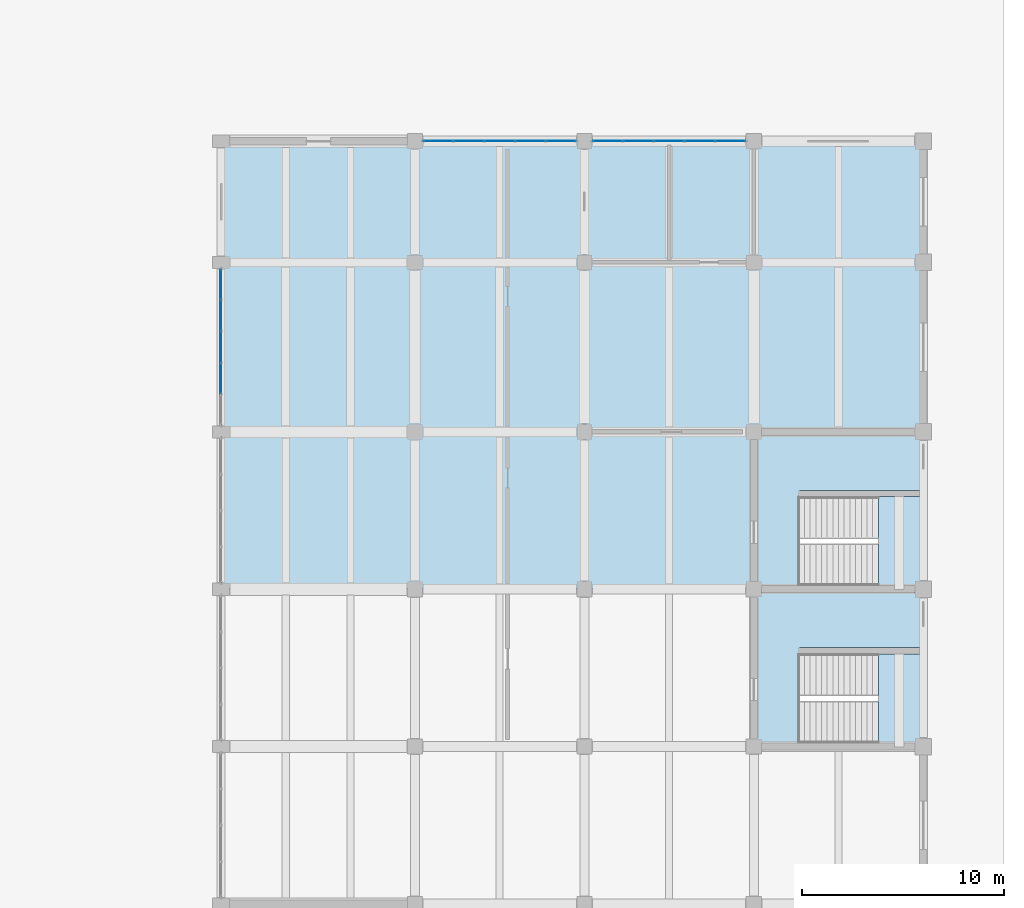
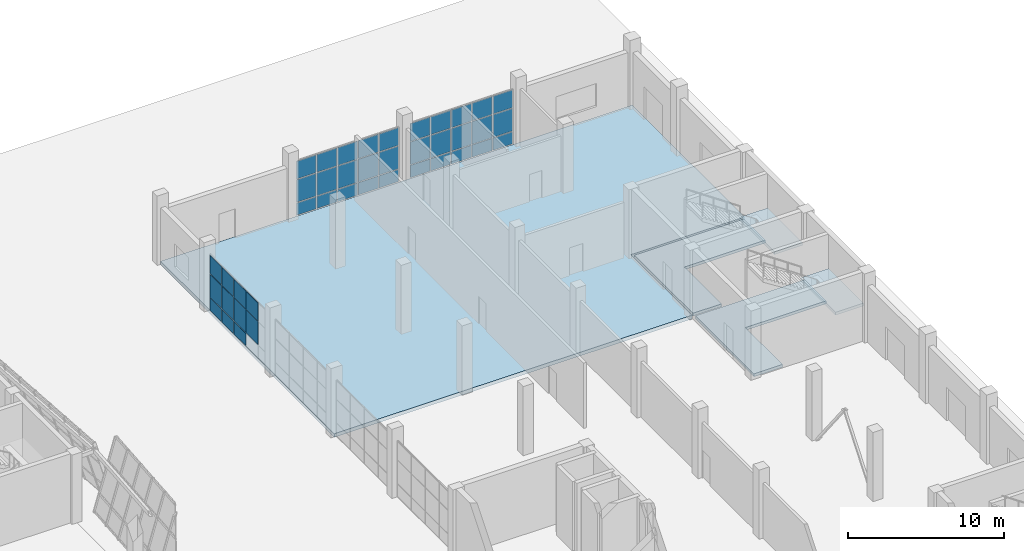
# One storey, part 54 of 78: 41 plates, 5 slabs, 5 elements without a shape of their own.
"""IFC4 building model written with IfcOpenShell, lengths in metres."""

import ifcopenshell
import ifcopenshell.guid

model = None  # the IFC model being written
_history = None  # IfcOwnerHistory: only IFC2X3 demands one
_inside = {}  # id of a spatial element -> (the spatial element, [elements in it])
_under = {}  # id of a project, library or spatial element -> (it, [spatial elements below it])
_declared = {}  # id of a project -> (the project, [libraries it declares])
_typed = {}  # id of a type object -> (the type object, [elements of that type])
_made_of = {}  # id of a material, layer set ... -> (it, [elements and type objects made of it])


def new_model(schema):
    """Start an empty IFC model of exactly this schema.

    Asked for "IFC4X3", IfcOpenShell would pick the latest addendum, in which some entities
    have other attributes; the version numbers below select the first issue.
    IFC2X3 requires an IfcOwnerHistory on every rooted entity: one is made here for all.
    """
    global model, _history
    if schema == "IFC4X3":
        model = ifcopenshell.file(schema_version=(4, 3, 0, 0))
    else:
        model = ifcopenshell.file(schema=schema)
    _inside.clear()
    _under.clear()
    _declared.clear()
    _typed.clear()
    _made_of.clear()
    _history = None
    if model.schema == "IFC2X3":
        org = make("IfcOrganization", Name="unknown")
        user = make(
            "IfcPersonAndOrganization",
            ThePerson=make("IfcPerson", FamilyName="unknown"),
            TheOrganization=org,
        )
        app = make(
            "IfcApplication",
            ApplicationDeveloper=org,
            Version="unknown",
            ApplicationFullName="unknown",
            ApplicationIdentifier="unknown",
        )
        _history = make(
            "IfcOwnerHistory",
            OwningUser=user,
            OwningApplication=app,
            ChangeAction="ADDED",
            CreationDate=0,
        )
    return model


def make(cls, **values):
    """One entity of the class cls with the attributes given. An attribute that is None is left unset."""
    return model.create_entity(
        cls, **{name: value for name, value in values.items() if value is not None}
    )


def rooted(cls, **values):
    """An entity with a GlobalId (a new one), such as an element, a storey or a relation."""
    return make(cls, GlobalId=ifcopenshell.guid.new(), OwnerHistory=_history, **values)


def si_unit(unit_type, name, prefix=None):
    """IfcSIUnit, for example si_unit("LENGTHUNIT", "METRE", prefix="MILLI")."""
    return make("IfcSIUnit", UnitType=unit_type, Prefix=prefix, Name=name)


def assignment(units):
    """IfcUnitAssignment: the units of a project."""
    return None if units is None else make("IfcUnitAssignment", Units=units)


def point(xyz):
    """IfcCartesianPoint."""
    return None if xyz is None else make("IfcCartesianPoint", Coordinates=xyz)


def direction(xyz):
    """IfcDirection."""
    return None if xyz is None else make("IfcDirection", DirectionRatios=xyz)


def frame(location, z_axis=None, x_axis=None):
    """IfcAxis2Placement3D, a coordinate frame: its origin and axes. An axis left out is left unset."""
    return make(
        "IfcAxis2Placement3D",
        Location=point(location),
        Axis=direction(z_axis),
        RefDirection=direction(x_axis),
    )


def origin():
    """The frame at (0, 0, 0) with its axes left unset."""
    return frame((0.0, 0.0, 0.0))


def place(relative_to, where):
    """IfcLocalPlacement: puts the frame where relative to a parent placement (None: the world)."""
    return make(
        "IfcLocalPlacement", PlacementRelTo=relative_to, RelativePlacement=where
    )


def context(
    kind, dimensions, precision=None, world=None, true_north=None, identifier=None
):
    """IfcGeometricRepresentationContext, for example the 3D "Model" context."""
    return make(
        "IfcGeometricRepresentationContext",
        ContextIdentifier=identifier,
        ContextType=kind,
        CoordinateSpaceDimension=dimensions,
        Precision=precision,
        WorldCoordinateSystem=world,
        TrueNorth=true_north,
    )


def subcontext(parent, identifier, kind, view, scale=None):
    """IfcGeometricRepresentationSubContext, for example "Body" below "Model"."""
    return make(
        "IfcGeometricRepresentationSubContext",
        ContextIdentifier=identifier,
        ContextType=kind,
        ParentContext=parent,
        TargetScale=scale,
        TargetView=view,
    )


def project(units=None, contexts=None):
    """IfcProject with its units and contexts."""
    return rooted(
        "IfcProject",
        Name="project",
        RepresentationContexts=contexts,
        UnitsInContext=assignment(units),
    )


def spatial(cls, under=None, at=None, **own):
    """A site, building, storey or space (cls), placed at a placement, below another one or the project."""
    s = rooted(cls, ObjectPlacement=at, **own)
    if under is not None:
        _under.setdefault(under.id(), (under, []))[1].append(s)
    return s


def polyline(points):
    """IfcPolyline through the points."""
    return make("IfcPolyline", Points=[point(p) for p in points])


def outline(outer, holes=None, kind="AREA"):
    """IfcArbitraryClosedProfileDef: a profile drawn as a closed curve; with holes, ...WithVoids."""
    if holes is None:
        return make("IfcArbitraryClosedProfileDef", ProfileType=kind, OuterCurve=outer)
    return make(
        "IfcArbitraryProfileDefWithVoids",
        ProfileType=kind,
        OuterCurve=outer,
        InnerCurves=holes,
    )


def extrude(swept, where, along, depth):
    """IfcExtrudedAreaSolid: the profile swept, set in the frame where, extruded along a direction by depth."""
    return make(
        "IfcExtrudedAreaSolid",
        SweptArea=swept,
        Position=where,
        ExtrudedDirection=direction(along),
        Depth=depth,
    )


def shape(context_of_items, identifier, shape_type, items):
    """IfcShapeRepresentation: the items that make up one representation, for example the "Body"."""
    return make(
        "IfcShapeRepresentation",
        ContextOfItems=context_of_items,
        RepresentationIdentifier=identifier,
        RepresentationType=shape_type,
        Items=items,
    )


def material(Name=None, Category=None):
    """IfcMaterial."""
    return make("IfcMaterial", Name=Name, Category=Category)


def layer(
    of_material, thickness, ventilated=None, Name=None, Category=None, Priority=None
):
    """IfcMaterialLayer: one layer of a wall or slab, of a material (None: an air gap)."""
    return make(
        "IfcMaterialLayer",
        Material=of_material,
        LayerThickness=thickness,
        IsVentilated=ventilated,
        Name=Name,
        Category=Category,
        Priority=Priority,
    )


def layer_set(layers, Name=None):
    """IfcMaterialLayerSet."""
    return make("IfcMaterialLayerSet", MaterialLayers=layers, LayerSetName=Name)


def made_of(thing, what):
    """Note that an element or type object is made of a material, layer set ...; save() writes the relation."""
    if what is not None:
        _made_of.setdefault(what.id(), (what, []))[1].append(thing)
    return thing


def type_object(cls, material=None, **own):
    """A type object (cls), such as IfcWallType, which elements share."""
    return made_of(rooted(cls, **own), material)


def element(
    cls,
    number,
    at=None,
    inside=None,
    cuts=None,
    type_object=None,
    material=None,
    context=None,
    identifier="Body",
    shape_type=None,
    held_by="IfcProductDefinitionShape",
    body=None,
    shapes=None,
    **own,
):
    """One element of the class cls, such as IfcWall. Its Tag is "e" and its number.

    at: its placement. inside: the storey or other place that contains it. cuts: it is an
    opening in that element (IfcRelVoidsElement). A single representation is given by context,
    identifier, shape_type and body (its items); several are given by shapes. held_by: the class
    of the entity that holds the representations. save() writes the other relations.
    """
    e = rooted(cls, Tag="e%d" % number, ObjectPlacement=at, **own)
    if body is not None:
        shapes = [shape(context, identifier, shape_type, body)]
    if shapes is not None:
        e.Representation = make(held_by, Representations=shapes)
    if inside is not None:
        _inside.setdefault(inside.id(), (inside, []))[1].append(e)
    if cuts is not None:
        rooted(
            "IfcRelVoidsElement", RelatingBuildingElement=cuts, RelatedOpeningElement=e
        )
    if type_object is not None:
        _typed.setdefault(type_object.id(), (type_object, []))[1].append(e)
    return made_of(e, material)


def aggregate(whole, parts):
    """IfcRelAggregates: a whole, such as a stair, and the parts it consists of."""
    return rooted("IfcRelAggregates", RelatingObject=whole, RelatedObjects=parts)


def save(model, path):
    """Write the relations noted so far, then the file.

    IfcRelAggregates (storeys below a building ...), IfcRelContainedInSpatialStructure (elements
    in a storey), IfcRelDefinesByType, IfcRelAssociatesMaterial and IfcRelDeclares: one each for
    every whole, place, type object, material and project.
    """
    for whole, parts in _under.values():
        aggregate(whole, parts)
    for where, things in _inside.values():
        rooted(
            "IfcRelContainedInSpatialStructure",
            RelatedElements=things,
            RelatingStructure=where,
        )
    for kind, things in _typed.values():
        rooted("IfcRelDefinesByType", RelatedObjects=things, RelatingType=kind)
    for what, things in _made_of.values():
        rooted("IfcRelAssociatesMaterial", RelatedObjects=things, RelatingMaterial=what)
    for by, libraries in _declared.values():
        rooted("IfcRelDeclares", RelatingContext=by, RelatedDefinitions=libraries)
    model.write(path)


model = new_model("IFC4")

# Units and contexts
model_context = context("Model", 3, precision=1e-05, world=origin(), true_north=direction((0.0, 1.0)))
body_context = subcontext(model_context, "Body", "Model", "MODEL_VIEW")
ifc_project = project(units=[si_unit("LENGTHUNIT", "METRE"), si_unit("AREAUNIT", "SQUARE_METRE"), si_unit("VOLUMEUNIT", "CUBIC_METRE"), si_unit("PLANEANGLEUNIT", "RADIAN"), si_unit("MASSUNIT", "GRAM", prefix="KILO")], contexts=[model_context])

# Site, building, storey
site_placement = place(None, origin())
site = spatial("IfcSite", under=ifc_project, at=site_placement, CompositionType="ELEMENT")
building_placement = place(site_placement, origin())
building = spatial("IfcBuilding", under=site, at=building_placement, Name="Pellamere Symphony Hall", CompositionType="ELEMENT")
storey_placement = place(building_placement, origin())
storey = spatial("IfcBuildingStorey", under=building, at=storey_placement, Name="L00", CompositionType="ELEMENT", Elevation=0.0)

# Curtain wall, plates
ifc_material_1 = material(Name="Thermally Broken Anodised Aluminium 6063-T6 Curtain Wall", Category="aluminium")
curtain_wall_type = type_object("IfcCurtainWallType", Name="Curtain Wall CW-05 (Artists Wing North Studio Ribbon Curtain Wall)", PredefinedType="NOTDEFINED", material=ifc_material_1)
curtain_wall_1_placement = place(storey_placement, origin())
curtain_wall_1 = element("IfcCurtainWall", 1, at=curtain_wall_1_placement, inside=storey, type_object=curtain_wall_type, Name="Artists Wing North Studio Curtain Wall (L00 Bay 1)", PredefinedType="NOTDEFINED")
ifc_material_2 = material(Name="Triple Low-E Argon Acoustic Glazing 36mm", Category="glass")
ifc_layer_1 = layer(ifc_material_2, 0.035888671875, Name="Triple Low-E Argon Acoustic Glazing 36mm")
ifc_layer_set_1 = layer_set([ifc_layer_1], Name="Triple Low-E Argon Acoustic Glazing 36mm")
plate_type = type_object("IfcPlateType", Name="Facade Panel GL-01 36mm", PredefinedType="CURTAIN_PANEL", material=ifc_layer_set_1)
plate_1_placement = place(storey_placement, frame((148.034912109375, 99.60009765625, 0.06005859375), z_axis=(0.0, -1.0, 0.0), x_axis=(1.0, 0.0, 0.0)))
plate_1 = element("IfcPlate", 2, at=plate_1_placement, type_object=plate_type, Name="CW5-124 crystal glass panel 1.1", PredefinedType="CURTAIN_PANEL", context=body_context, shape_type="SweptSolid", body=[
    extrude(outline(polyline([(0.0, 0.0), (1.440185546875, 0.0), (1.440185546875, 0.95166015625), (0.0, 0.95166015625), (0.0, 0.0)])), origin(), (0.0, 0.0, -1.0), 0.035888671875),
])
plate_2_placement = place(storey_placement, frame((148.034912109375, 99.60009765625, 1.071533203125), z_axis=(0.0, -1.0, 0.0), x_axis=(1.0, 0.0, 0.0)))
plate_2 = element("IfcPlate", 3, at=plate_2_placement, type_object=plate_type, Name="CW5-124 crystal glass panel 1.2", PredefinedType="CURTAIN_PANEL", context=body_context, shape_type="SweptSolid", body=[
    extrude(outline(polyline([(0.0, 0.0), (1.440185546875, 0.0), (1.440185546875, 1.762939453125), (0.0, 1.762939453125), (0.0, 0.0)])), origin(), (0.0, 0.0, -1.0), 0.035888671875),
])
plate_3_placement = place(storey_placement, frame((148.034912109375, 99.60009765625, 2.894287109375), z_axis=(0.0, -1.0, 0.0), x_axis=(1.0, 0.0, 0.0)))
plate_3 = element("IfcPlate", 4, at=plate_3_placement, type_object=plate_type, Name="CW5-124 crystal glass panel 1.3", PredefinedType="CURTAIN_PANEL", context=body_context, shape_type="SweptSolid", body=[
    extrude(outline(polyline([(0.0, 0.0), (1.440185546875, 0.0), (1.440185546875, 1.3857421875), (0.0, 1.3857421875), (0.0, 0.0)])), origin(), (0.0, 0.0, -1.0), 0.035888671875),
])
plate_4_placement = place(storey_placement, frame((149.534912109375, 99.60009765625, 0.06005859375), z_axis=(0.0, -1.0, 0.0), x_axis=(1.0, 0.0, 0.0)))
plate_4 = element("IfcPlate", 5, at=plate_4_placement, type_object=plate_type, Name="CW5-124 crystal glass panel 2.1", PredefinedType="CURTAIN_PANEL", context=body_context, shape_type="SweptSolid", body=[
    extrude(outline(polyline([(0.0, 0.0), (1.469970703125, 0.0), (1.469970703125, 0.95166015625), (0.0, 0.95166015625), (0.0, 0.0)])), origin(), (0.0, 0.0, -1.0), 0.035888671875),
])
plate_5_placement = place(storey_placement, frame((149.534912109375, 99.60009765625, 1.071533203125), z_axis=(0.0, -1.0, 0.0), x_axis=(1.0, 0.0, 0.0)))
plate_5 = element("IfcPlate", 6, at=plate_5_placement, type_object=plate_type, Name="CW5-124 crystal glass panel 2.2", PredefinedType="CURTAIN_PANEL", context=body_context, shape_type="SweptSolid", body=[
    extrude(outline(polyline([(0.0, 0.0), (1.469970703125, 0.0), (1.469970703125, 1.762939453125), (0.0, 1.762939453125), (0.0, 0.0)])), origin(), (0.0, 0.0, -1.0), 0.035888671875),
])
plate_6_placement = place(storey_placement, frame((149.534912109375, 99.60009765625, 2.894287109375), z_axis=(0.0, -1.0, 0.0), x_axis=(1.0, 0.0, 0.0)))
plate_6 = element("IfcPlate", 7, at=plate_6_placement, type_object=plate_type, Name="CW5-124 crystal glass panel 2.3", PredefinedType="CURTAIN_PANEL", context=body_context, shape_type="SweptSolid", body=[
    extrude(outline(polyline([(0.0, 0.0), (1.469970703125, 0.0), (1.469970703125, 1.3857421875), (0.0, 1.3857421875), (0.0, 0.0)])), origin(), (0.0, 0.0, -1.0), 0.035888671875),
])
plate_7_placement = place(storey_placement, frame((151.06494140625, 99.60009765625, 0.06005859375), z_axis=(0.0, -1.0, 0.0), x_axis=(1.0, 0.0, 0.0)))
plate_7 = element("IfcPlate", 8, at=plate_7_placement, type_object=plate_type, Name="CW5-124 crystal glass panel 3.1", PredefinedType="CURTAIN_PANEL", context=body_context, shape_type="SweptSolid", body=[
    extrude(outline(polyline([(0.0, 0.0), (1.469970703125, 0.0), (1.469970703125, 0.95166015625), (0.0, 0.95166015625), (0.0, 0.0)])), origin(), (0.0, 0.0, -1.0), 0.035888671875),
])
plate_8_placement = place(storey_placement, frame((151.06494140625, 99.60009765625, 1.071533203125), z_axis=(0.0, -1.0, 0.0), x_axis=(1.0, 0.0, 0.0)))
plate_8 = element("IfcPlate", 9, at=plate_8_placement, type_object=plate_type, Name="CW5-124 crystal glass panel 3.2", PredefinedType="CURTAIN_PANEL", context=body_context, shape_type="SweptSolid", body=[
    extrude(outline(polyline([(0.0, 0.0), (1.469970703125, 0.0), (1.469970703125, 1.762939453125), (0.0, 1.762939453125), (0.0, 0.0)])), origin(), (0.0, 0.0, -1.0), 0.035888671875),
])
plate_9_placement = place(storey_placement, frame((151.06494140625, 99.60009765625, 2.894287109375), z_axis=(0.0, -1.0, 0.0), x_axis=(1.0, 0.0, 0.0)))
plate_9 = element("IfcPlate", 10, at=plate_9_placement, type_object=plate_type, Name="CW5-124 crystal glass panel 3.3", PredefinedType="CURTAIN_PANEL", context=body_context, shape_type="SweptSolid", body=[
    extrude(outline(polyline([(0.0, 0.0), (1.469970703125, 0.0), (1.469970703125, 1.3857421875), (0.0, 1.3857421875), (0.0, 0.0)])), origin(), (0.0, 0.0, -1.0), 0.035888671875),
])
plate_10_placement = place(storey_placement, frame((152.594970703125, 99.60009765625, 0.06005859375), z_axis=(0.0, -1.0, 0.0), x_axis=(1.0, 0.0, 0.0)))
plate_10 = element("IfcPlate", 11, at=plate_10_placement, type_object=plate_type, Name="CW5-124 crystal glass panel 4.1", PredefinedType="CURTAIN_PANEL", context=body_context, shape_type="SweptSolid", body=[
    extrude(outline(polyline([(0.0, 0.0), (1.469970703125, 0.0), (1.469970703125, 0.95166015625), (0.0, 0.95166015625), (0.0, 0.0)])), origin(), (0.0, 0.0, -1.0), 0.035888671875),
])
plate_11_placement = place(storey_placement, frame((152.594970703125, 99.60009765625, 1.071533203125), z_axis=(0.0, -1.0, 0.0), x_axis=(1.0, 0.0, 0.0)))
plate_11 = element("IfcPlate", 12, at=plate_11_placement, type_object=plate_type, Name="CW5-124 crystal glass panel 4.2", PredefinedType="CURTAIN_PANEL", context=body_context, shape_type="SweptSolid", body=[
    extrude(outline(polyline([(0.0, 0.0), (1.469970703125, 0.0), (1.469970703125, 1.762939453125), (0.0, 1.762939453125), (0.0, 0.0)])), origin(), (0.0, 0.0, -1.0), 0.035888671875),
])
plate_12_placement = place(storey_placement, frame((152.594970703125, 99.60009765625, 2.894287109375), z_axis=(0.0, -1.0, 0.0), x_axis=(1.0, 0.0, 0.0)))
plate_12 = element("IfcPlate", 13, at=plate_12_placement, type_object=plate_type, Name="CW5-124 crystal glass panel 4.3", PredefinedType="CURTAIN_PANEL", context=body_context, shape_type="SweptSolid", body=[
    extrude(outline(polyline([(0.0, 0.0), (1.469970703125, 0.0), (1.469970703125, 1.3857421875), (0.0, 1.3857421875), (0.0, 0.0)])), origin(), (0.0, 0.0, -1.0), 0.035888671875),
])
plate_13_placement = place(storey_placement, frame((154.125, 99.60009765625, 0.06005859375), z_axis=(0.0, -1.0, 0.0), x_axis=(1.0, 0.0, 0.0)))
plate_13 = element("IfcPlate", 14, at=plate_13_placement, type_object=plate_type, Name="CW5-124 crystal glass panel 5.1", PredefinedType="CURTAIN_PANEL", context=body_context, shape_type="SweptSolid", body=[
    extrude(outline(polyline([(0.0, 0.0), (1.43994140625, 0.0), (1.43994140625, 0.95166015625), (0.0, 0.95166015625), (0.0, 0.0)])), origin(), (0.0, 0.0, -1.0), 0.035888671875),
])
plate_14_placement = place(storey_placement, frame((154.125, 99.60009765625, 1.071533203125), z_axis=(0.0, -1.0, 0.0), x_axis=(1.0, 0.0, 0.0)))
plate_14 = element("IfcPlate", 15, at=plate_14_placement, type_object=plate_type, Name="CW5-124 crystal glass panel 5.2", PredefinedType="CURTAIN_PANEL", context=body_context, shape_type="SweptSolid", body=[
    extrude(outline(polyline([(0.0, 0.0), (1.43994140625, 0.0), (1.43994140625, 1.762939453125), (0.0, 1.762939453125), (0.0, 0.0)])), origin(), (0.0, 0.0, -1.0), 0.035888671875),
])
plate_15_placement = place(storey_placement, frame((154.125, 99.60009765625, 2.894287109375), z_axis=(0.0, -1.0, 0.0), x_axis=(1.0, 0.0, 0.0)))
plate_15 = element("IfcPlate", 16, at=plate_15_placement, type_object=plate_type, Name="CW5-124 crystal glass panel 5.3", PredefinedType="CURTAIN_PANEL", context=body_context, shape_type="SweptSolid", body=[
    extrude(outline(polyline([(0.0, 0.0), (1.43994140625, 0.0), (1.43994140625, 1.3857421875), (0.0, 1.3857421875), (0.0, 0.0)])), origin(), (0.0, 0.0, -1.0), 0.035888671875),
])
aggregate(curtain_wall_1, [plate_1, plate_2, plate_3, plate_4, plate_5, plate_6, plate_7, plate_8, plate_9, plate_10, plate_11, plate_12, plate_13, plate_14, plate_15])

curtain_wall_2_placement = place(storey_placement, origin())
curtain_wall_2 = element("IfcCurtainWall", 17, at=curtain_wall_2_placement, inside=storey, type_object=curtain_wall_type, Name="Artists Wing North Studio Curtain Wall (L00 Bay 2)", PredefinedType="NOTDEFINED")
plate_16_placement = place(storey_placement, frame((156.43505859375, 99.60009765625, 0.06005859375), z_axis=(0.0, -1.0, 0.0), x_axis=(1.0, 0.0, 0.0)))
plate_16 = element("IfcPlate", 18, at=plate_16_placement, type_object=plate_type, Name="CW5-125 crystal glass panel 1.1", PredefinedType="CURTAIN_PANEL", context=body_context, shape_type="SweptSolid", body=[
    extrude(outline(polyline([(0.0, 0.0), (1.43994140625, 0.0), (1.43994140625, 0.95166015625), (0.0, 0.95166015625), (0.0, 0.0)])), origin(), (0.0, 0.0, -1.0), 0.035888671875),
])
plate_17_placement = place(storey_placement, frame((156.43505859375, 99.60009765625, 1.071533203125), z_axis=(0.0, -1.0, 0.0), x_axis=(1.0, 0.0, 0.0)))
plate_17 = element("IfcPlate", 19, at=plate_17_placement, type_object=plate_type, Name="CW5-125 crystal glass panel 1.2", PredefinedType="CURTAIN_PANEL", context=body_context, shape_type="SweptSolid", body=[
    extrude(outline(polyline([(0.0, 0.0), (1.43994140625, 0.0), (1.43994140625, 1.762939453125), (0.0, 1.762939453125), (0.0, 0.0)])), origin(), (0.0, 0.0, -1.0), 0.035888671875),
])
plate_18_placement = place(storey_placement, frame((156.43505859375, 99.60009765625, 2.894287109375), z_axis=(0.0, -1.0, 0.0), x_axis=(1.0, 0.0, 0.0)))
plate_18 = element("IfcPlate", 20, at=plate_18_placement, type_object=plate_type, Name="CW5-125 crystal glass panel 1.3", PredefinedType="CURTAIN_PANEL", context=body_context, shape_type="SweptSolid", body=[
    extrude(outline(polyline([(0.0, 0.0), (1.43994140625, 0.0), (1.43994140625, 1.3857421875), (0.0, 1.3857421875), (0.0, 0.0)])), origin(), (0.0, 0.0, -1.0), 0.035888671875),
])
plate_19_placement = place(storey_placement, frame((157.93505859375, 99.60009765625, 0.06005859375), z_axis=(0.0, -1.0, 0.0), x_axis=(1.0, 0.0, 0.0)))
plate_19 = element("IfcPlate", 21, at=plate_19_placement, type_object=plate_type, Name="CW5-125 crystal glass panel 2.1", PredefinedType="CURTAIN_PANEL", context=body_context, shape_type="SweptSolid", body=[
    extrude(outline(polyline([(0.0, 0.0), (1.469970703125, 0.0), (1.469970703125, 0.95166015625), (0.0, 0.95166015625), (0.0, 0.0)])), origin(), (0.0, 0.0, -1.0), 0.035888671875),
])
plate_20_placement = place(storey_placement, frame((157.93505859375, 99.60009765625, 1.071533203125), z_axis=(0.0, -1.0, 0.0), x_axis=(1.0, 0.0, 0.0)))
plate_20 = element("IfcPlate", 22, at=plate_20_placement, type_object=plate_type, Name="CW5-125 crystal glass panel 2.2", PredefinedType="CURTAIN_PANEL", context=body_context, shape_type="SweptSolid", body=[
    extrude(outline(polyline([(0.0, 0.0), (1.469970703125, 0.0), (1.469970703125, 1.762939453125), (0.0, 1.762939453125), (0.0, 0.0)])), origin(), (0.0, 0.0, -1.0), 0.035888671875),
])
plate_21_placement = place(storey_placement, frame((157.93505859375, 99.60009765625, 2.894287109375), z_axis=(0.0, -1.0, 0.0), x_axis=(1.0, 0.0, 0.0)))
plate_21 = element("IfcPlate", 23, at=plate_21_placement, type_object=plate_type, Name="CW5-125 crystal glass panel 2.3", PredefinedType="CURTAIN_PANEL", context=body_context, shape_type="SweptSolid", body=[
    extrude(outline(polyline([(0.0, 0.0), (1.469970703125, 0.0), (1.469970703125, 1.3857421875), (0.0, 1.3857421875), (0.0, 0.0)])), origin(), (0.0, 0.0, -1.0), 0.035888671875),
])
plate_22_placement = place(storey_placement, frame((159.465087890625, 99.60009765625, 0.06005859375), z_axis=(0.0, -1.0, 0.0), x_axis=(1.0, 0.0, 0.0)))
plate_22 = element("IfcPlate", 24, at=plate_22_placement, type_object=plate_type, Name="CW5-125 crystal glass panel 3.1", PredefinedType="CURTAIN_PANEL", context=body_context, shape_type="SweptSolid", body=[
    extrude(outline(polyline([(0.0, 0.0), (1.469970703125, 0.0), (1.469970703125, 0.95166015625), (0.0, 0.95166015625), (0.0, 0.0)])), origin(), (0.0, 0.0, -1.0), 0.035888671875),
])
plate_23_placement = place(storey_placement, frame((159.465087890625, 99.60009765625, 1.071533203125), z_axis=(0.0, -1.0, 0.0), x_axis=(1.0, 0.0, 0.0)))
plate_23 = element("IfcPlate", 25, at=plate_23_placement, type_object=plate_type, Name="CW5-125 crystal glass panel 3.2", PredefinedType="CURTAIN_PANEL", context=body_context, shape_type="SweptSolid", body=[
    extrude(outline(polyline([(0.0, 0.0), (1.469970703125, 0.0), (1.469970703125, 1.762939453125), (0.0, 1.762939453125), (0.0, 0.0)])), origin(), (0.0, 0.0, -1.0), 0.035888671875),
])
plate_24_placement = place(storey_placement, frame((159.465087890625, 99.60009765625, 2.894287109375), z_axis=(0.0, -1.0, 0.0), x_axis=(1.0, 0.0, 0.0)))
plate_24 = element("IfcPlate", 26, at=plate_24_placement, type_object=plate_type, Name="CW5-125 crystal glass panel 3.3", PredefinedType="CURTAIN_PANEL", context=body_context, shape_type="SweptSolid", body=[
    extrude(outline(polyline([(0.0, 0.0), (1.469970703125, 0.0), (1.469970703125, 1.3857421875), (0.0, 1.3857421875), (0.0, 0.0)])), origin(), (0.0, 0.0, -1.0), 0.035888671875),
])
plate_25_placement = place(storey_placement, frame((160.9951171875, 99.60009765625, 0.06005859375), z_axis=(0.0, -1.0, 0.0), x_axis=(1.0, 0.0, 0.0)))
plate_25 = element("IfcPlate", 27, at=plate_25_placement, type_object=plate_type, Name="CW5-125 crystal glass panel 4.1", PredefinedType="CURTAIN_PANEL", context=body_context, shape_type="SweptSolid", body=[
    extrude(outline(polyline([(0.0, 0.0), (1.469970703125, 0.0), (1.469970703125, 0.95166015625), (0.0, 0.95166015625), (0.0, 0.0)])), origin(), (0.0, 0.0, -1.0), 0.035888671875),
])
plate_26_placement = place(storey_placement, frame((160.9951171875, 99.60009765625, 1.071533203125), z_axis=(0.0, -1.0, 0.0), x_axis=(1.0, 0.0, 0.0)))
plate_26 = element("IfcPlate", 28, at=plate_26_placement, type_object=plate_type, Name="CW5-125 crystal glass panel 4.2", PredefinedType="CURTAIN_PANEL", context=body_context, shape_type="SweptSolid", body=[
    extrude(outline(polyline([(0.0, 0.0), (1.469970703125, 0.0), (1.469970703125, 1.762939453125), (0.0, 1.762939453125), (0.0, 0.0)])), origin(), (0.0, 0.0, -1.0), 0.035888671875),
])
plate_27_placement = place(storey_placement, frame((160.9951171875, 99.60009765625, 2.894287109375), z_axis=(0.0, -1.0, 0.0), x_axis=(1.0, 0.0, 0.0)))
plate_27 = element("IfcPlate", 29, at=plate_27_placement, type_object=plate_type, Name="CW5-125 crystal glass panel 4.3", PredefinedType="CURTAIN_PANEL", context=body_context, shape_type="SweptSolid", body=[
    extrude(outline(polyline([(0.0, 0.0), (1.469970703125, 0.0), (1.469970703125, 1.3857421875), (0.0, 1.3857421875), (0.0, 0.0)])), origin(), (0.0, 0.0, -1.0), 0.035888671875),
])
plate_28_placement = place(storey_placement, frame((162.52490234375, 99.60009765625, 0.06005859375), z_axis=(0.0, -1.0, 0.0), x_axis=(1.0, 0.0, 0.0)))
plate_28 = element("IfcPlate", 30, at=plate_28_placement, type_object=plate_type, Name="CW5-125 crystal glass panel 5.1", PredefinedType="CURTAIN_PANEL", context=body_context, shape_type="SweptSolid", body=[
    extrude(outline(polyline([(0.0, 0.0), (1.440185546875, 0.0), (1.440185546875, 0.95166015625), (0.0, 0.95166015625), (0.0, 0.0)])), origin(), (0.0, 0.0, -1.0), 0.035888671875),
])
plate_29_placement = place(storey_placement, frame((162.52490234375, 99.60009765625, 1.071533203125), z_axis=(0.0, -1.0, 0.0), x_axis=(1.0, 0.0, 0.0)))
plate_29 = element("IfcPlate", 31, at=plate_29_placement, type_object=plate_type, Name="CW5-125 crystal glass panel 5.2", PredefinedType="CURTAIN_PANEL", context=body_context, shape_type="SweptSolid", body=[
    extrude(outline(polyline([(0.0, 0.0), (1.440185546875, 0.0), (1.440185546875, 1.762939453125), (0.0, 1.762939453125), (0.0, 0.0)])), origin(), (0.0, 0.0, -1.0), 0.035888671875),
])
plate_30_placement = place(storey_placement, frame((162.52490234375, 99.60009765625, 2.894287109375), z_axis=(0.0, -1.0, 0.0), x_axis=(1.0, 0.0, 0.0)))
plate_30 = element("IfcPlate", 32, at=plate_30_placement, type_object=plate_type, Name="CW5-125 crystal glass panel 5.3", PredefinedType="CURTAIN_PANEL", context=body_context, shape_type="SweptSolid", body=[
    extrude(outline(polyline([(0.0, 0.0), (1.440185546875, 0.0), (1.440185546875, 1.3857421875), (0.0, 1.3857421875), (0.0, 0.0)])), origin(), (0.0, 0.0, -1.0), 0.035888671875),
])
aggregate(curtain_wall_2, [plate_16, plate_17, plate_18, plate_19, plate_20, plate_21, plate_22, plate_23, plate_24, plate_25, plate_26, plate_27, plate_28, plate_29, plate_30])

curtain_wall_3_placement = place(storey_placement, origin())
curtain_wall_3 = element("IfcCurtainWall", 33, at=curtain_wall_3_placement, inside=storey, type_object=curtain_wall_type, Name="Sculpture Court East Wing Curtain Wall (L00 Bay 4)", PredefinedType="NOTDEFINED")
plate_31_placement = place(storey_placement, frame((138.0, 87.090087890625, 1.0859375), z_axis=(1.0, 0.0, 0.0), x_axis=(0.0, 1.0, 0.0)))
plate_31 = element("IfcPlate", 34, at=plate_31_placement, type_object=plate_type, Name="CW5-129 crystal glass panel 2.2", PredefinedType="CURTAIN_PANEL", context=body_context, shape_type="SweptSolid", body=[
    extrude(outline(polyline([(0.0, 0.0), (1.5, 0.0), (1.5, 1.7880859375), (0.0, 1.7880859375), (0.0, 0.0)])), origin(), (0.0, 0.0, -1.0), 0.035888671875),
])
plate_32_placement = place(storey_placement, frame((138.0, 87.090087890625, 2.93408203125), z_axis=(1.0, 0.0, 0.0), x_axis=(0.0, 1.0, 0.0)))
plate_32 = element("IfcPlate", 35, at=plate_32_placement, type_object=plate_type, Name="CW5-129 crystal glass panel 2.3", PredefinedType="CURTAIN_PANEL", context=body_context, shape_type="SweptSolid", body=[
    extrude(outline(polyline([(0.0, 0.0), (1.5, 0.0), (1.5, 1.406005859375), (0.0, 1.406005859375), (0.0, 0.0)])), origin(), (0.0, 0.0, -1.0), 0.035888671875),
])
plate_33_placement = place(storey_placement, frame((138.0, 88.64990234375, 0.06005859375), z_axis=(1.0, 0.0, 0.0), x_axis=(0.0, 1.0, 0.0)))
plate_33 = element("IfcPlate", 36, at=plate_33_placement, type_object=plate_type, Name="CW5-129 crystal glass panel 3.1", PredefinedType="CURTAIN_PANEL", context=body_context, shape_type="SweptSolid", body=[
    extrude(outline(polyline([(0.0, 0.0), (1.5, 0.0), (1.5, 0.9658203125), (0.0, 0.9658203125), (0.0, 0.0)])), origin(), (0.0, 0.0, -1.0), 0.035888671875),
])
plate_34_placement = place(storey_placement, frame((138.0, 88.64990234375, 1.0859375), z_axis=(1.0, 0.0, 0.0), x_axis=(0.0, 1.0, 0.0)))
plate_34 = element("IfcPlate", 37, at=plate_34_placement, type_object=plate_type, Name="CW5-129 crystal glass panel 3.2", PredefinedType="CURTAIN_PANEL", context=body_context, shape_type="SweptSolid", body=[
    extrude(outline(polyline([(0.0, 0.0), (1.5, 0.0), (1.5, 1.7880859375), (0.0, 1.7880859375), (0.0, 0.0)])), origin(), (0.0, 0.0, -1.0), 0.035888671875),
])
plate_35_placement = place(storey_placement, frame((138.0, 88.64990234375, 2.93408203125), z_axis=(1.0, 0.0, 0.0), x_axis=(0.0, 1.0, 0.0)))
plate_35 = element("IfcPlate", 38, at=plate_35_placement, type_object=plate_type, Name="CW5-129 crystal glass panel 3.3", PredefinedType="CURTAIN_PANEL", context=body_context, shape_type="SweptSolid", body=[
    extrude(outline(polyline([(0.0, 0.0), (1.5, 0.0), (1.5, 1.406005859375), (0.0, 1.406005859375), (0.0, 0.0)])), origin(), (0.0, 0.0, -1.0), 0.035888671875),
])
plate_36_placement = place(storey_placement, frame((138.0, 90.2099609375, 0.06005859375), z_axis=(1.0, 0.0, 0.0), x_axis=(0.0, 1.0, 0.0)))
plate_36 = element("IfcPlate", 39, at=plate_36_placement, type_object=plate_type, Name="CW5-129 crystal glass panel 4.1", PredefinedType="CURTAIN_PANEL", context=body_context, shape_type="SweptSolid", body=[
    extrude(outline(polyline([(0.0, 0.0), (1.5, 0.0), (1.5, 0.9658203125), (0.0, 0.9658203125), (0.0, 0.0)])), origin(), (0.0, 0.0, -1.0), 0.035888671875),
])
plate_37_placement = place(storey_placement, frame((138.0, 90.2099609375, 1.0859375), z_axis=(1.0, 0.0, 0.0), x_axis=(0.0, 1.0, 0.0)))
plate_37 = element("IfcPlate", 40, at=plate_37_placement, type_object=plate_type, Name="CW5-129 crystal glass panel 4.2", PredefinedType="CURTAIN_PANEL", context=body_context, shape_type="SweptSolid", body=[
    extrude(outline(polyline([(0.0, 0.0), (1.5, 0.0), (1.5, 1.7880859375), (0.0, 1.7880859375), (0.0, 0.0)])), origin(), (0.0, 0.0, -1.0), 0.035888671875),
])
plate_38_placement = place(storey_placement, frame((138.0, 90.2099609375, 2.93408203125), z_axis=(1.0, 0.0, 0.0), x_axis=(0.0, 1.0, 0.0)))
plate_38 = element("IfcPlate", 41, at=plate_38_placement, type_object=plate_type, Name="CW5-129 crystal glass panel 4.3", PredefinedType="CURTAIN_PANEL", context=body_context, shape_type="SweptSolid", body=[
    extrude(outline(polyline([(0.0, 0.0), (1.5, 0.0), (1.5, 1.406005859375), (0.0, 1.406005859375), (0.0, 0.0)])), origin(), (0.0, 0.0, -1.0), 0.035888671875),
])
plate_39_placement = place(storey_placement, frame((138.0, 91.77001953125, 0.06005859375), z_axis=(1.0, 0.0, 0.0), x_axis=(0.0, 1.0, 0.0)))
plate_39 = element("IfcPlate", 42, at=plate_39_placement, type_object=plate_type, Name="CW5-129 crystal glass panel 5.1", PredefinedType="CURTAIN_PANEL", context=body_context, shape_type="SweptSolid", body=[
    extrude(outline(polyline([(0.0, 0.0), (1.469970703125, 0.0), (1.469970703125, 0.9658203125), (0.0, 0.9658203125), (0.0, 0.0)])), origin(), (0.0, 0.0, -1.0), 0.035888671875),
])
plate_40_placement = place(storey_placement, frame((138.0, 91.77001953125, 1.0859375), z_axis=(1.0, 0.0, 0.0), x_axis=(0.0, 1.0, 0.0)))
plate_40 = element("IfcPlate", 43, at=plate_40_placement, type_object=plate_type, Name="CW5-129 crystal glass panel 5.2", PredefinedType="CURTAIN_PANEL", context=body_context, shape_type="SweptSolid", body=[
    extrude(outline(polyline([(0.0, 0.0), (1.469970703125, 0.0), (1.469970703125, 1.7880859375), (0.0, 1.7880859375), (0.0, 0.0)])), origin(), (0.0, 0.0, -1.0), 0.035888671875),
])
plate_41_placement = place(storey_placement, frame((138.0, 91.77001953125, 2.93408203125), z_axis=(1.0, 0.0, 0.0), x_axis=(0.0, 1.0, 0.0)))
plate_41 = element("IfcPlate", 44, at=plate_41_placement, type_object=plate_type, Name="CW5-129 crystal glass panel 5.3", PredefinedType="CURTAIN_PANEL", context=body_context, shape_type="SweptSolid", body=[
    extrude(outline(polyline([(0.0, 0.0), (1.469970703125, 0.0), (1.469970703125, 1.406005859375), (0.0, 1.406005859375), (0.0, 0.0)])), origin(), (0.0, 0.0, -1.0), 0.035888671875),
])
aggregate(curtain_wall_3, [plate_31, plate_32, plate_33, plate_34, plate_35, plate_36, plate_37, plate_38, plate_39, plate_40, plate_41])

# Stair, slabs
ifc_material_3 = material(Name="Concrete 40 MPa", Category="concrete")
stair_type = type_object("IfcStairType", Name="Stair ST-B W2050", PredefinedType="HALF_TURN_STAIR", material=ifc_material_3)
stair_1_placement = place(storey_placement, origin())
stair_1 = element("IfcStair", 45, at=stair_1_placement, inside=storey, type_object=stair_type, Name="Exit Stair ST05-L00 (L00 to L01)", PredefinedType="HALF_TURN_STAIR")
ifc_layer_2 = layer(ifc_material_3, 0.219970703125, Name="Concrete 40 MPa")
ifc_layer_set_2 = layer_set([ifc_layer_2], Name="Concrete 40 MPa")
slab_type_1 = type_object("IfcSlabType", Name="Stair Landing SL-01 220mm", PredefinedType="LANDING", material=ifc_layer_set_2)
slab_1_placement = place(storey_placement, frame((0.0, 0.0, -0.219970703125)))
slab_1 = element("IfcSlab", 46, at=slab_1_placement, type_object=slab_type_1, Name="Stair ST05-L00 Bottom Landing (L00)", PredefinedType="LANDING", context=body_context, shape_type="SweptSolid", body=[
    extrude(outline(polyline([(164.56005859375, 69.760009765625), (166.675048828125, 69.760009765625), (166.675048828125, 74.5), (172.639892578125, 74.5), (172.639892578125, 77.239990234375), (164.56005859375, 77.239990234375), (164.56005859375, 69.760009765625)])), origin(), (0.0, 0.0, 1.0), 0.219970703125),
])
slab_2_placement = place(storey_placement, frame((0.0, 0.0, 2.47998046875)))
slab_2 = element("IfcSlab", 47, at=slab_2_placement, type_object=slab_type_1, Name="Stair ST05-L00 Half Landing (L00)", PredefinedType="LANDING", context=body_context, shape_type="SweptSolid", body=[
    extrude(outline(polyline([(170.574951171875, 69.760009765625), (172.639892578125, 69.760009765625), (172.639892578125, 74.199951171875), (170.574951171875, 74.199951171875), (170.574951171875, 69.760009765625)])), origin(), (0.0, 0.0, 1.0), 0.219970703125),
])
aggregate(stair_1, [slab_1, slab_2])

stair_2_placement = place(storey_placement, origin())
stair_2 = element("IfcStair", 48, at=stair_2_placement, inside=storey, type_object=stair_type, Name="Exit Stair ST14-L00 (L00 to L01)", PredefinedType="HALF_TURN_STAIR")
slab_3_placement = place(storey_placement, frame((0.0, 0.0, -0.219970703125)))
slab_3 = element("IfcSlab", 49, at=slab_3_placement, type_object=slab_type_1, Name="Stair ST14-L00 Bottom Landing (L00)", PredefinedType="LANDING", context=body_context, shape_type="SweptSolid", body=[
    extrude(outline(polyline([(164.56005859375, 77.56005859375), (166.675048828125, 77.56005859375), (166.675048828125, 82.300048828125), (172.639892578125, 82.300048828125), (172.639892578125, 85.0400390625), (164.56005859375, 85.0400390625), (164.56005859375, 77.56005859375)])), origin(), (0.0, 0.0, 1.0), 0.219970703125),
])
slab_4_placement = place(storey_placement, frame((0.0, 0.0, 2.47998046875)))
slab_4 = element("IfcSlab", 50, at=slab_4_placement, type_object=slab_type_1, Name="Stair ST14-L00 Half Landing (L00)", PredefinedType="LANDING", context=body_context, shape_type="SweptSolid", body=[
    extrude(outline(polyline([(170.574951171875, 77.56005859375), (172.639892578125, 77.56005859375), (172.639892578125, 82.0), (170.574951171875, 82.0), (170.574951171875, 77.56005859375)])), origin(), (0.0, 0.0, 1.0), 0.219970703125),
])
aggregate(stair_2, [slab_3, slab_4])

# Slab
ifc_layer_3 = layer(ifc_material_3, 0.280029296875, Name="Concrete 40 MPa")
ifc_layer_set_3 = layer_set([ifc_layer_3], Name="Concrete 40 MPa")
slab_type_2 = type_object("IfcSlabType", Name="Structural Slab FS-03 280mm", PredefinedType="FLOOR", material=ifc_layer_set_3)
slab_5_placement = place(storey_placement, frame((0.0, 0.0, -0.280029296875)))
element("IfcSlab", 51, at=slab_5_placement, inside=storey, type_object=slab_type_2, Name="Floor Slab L00-V5C-1", PredefinedType="FLOOR", context=body_context, shape_type="SweptSolid", body=[
    extrude(outline(polyline([(138.0, 77.39990234375), (138.0, 99.60009765625), (172.800048828125, 99.60009765625), (172.800048828125, 85.199951171875), (164.39990234375, 85.199951171875), (164.39990234375, 77.39990234375), (138.0, 77.39990234375)])), origin(), (0.0, 0.0, 1.0), 0.280029296875),
])

save(model, "model.ifc")
